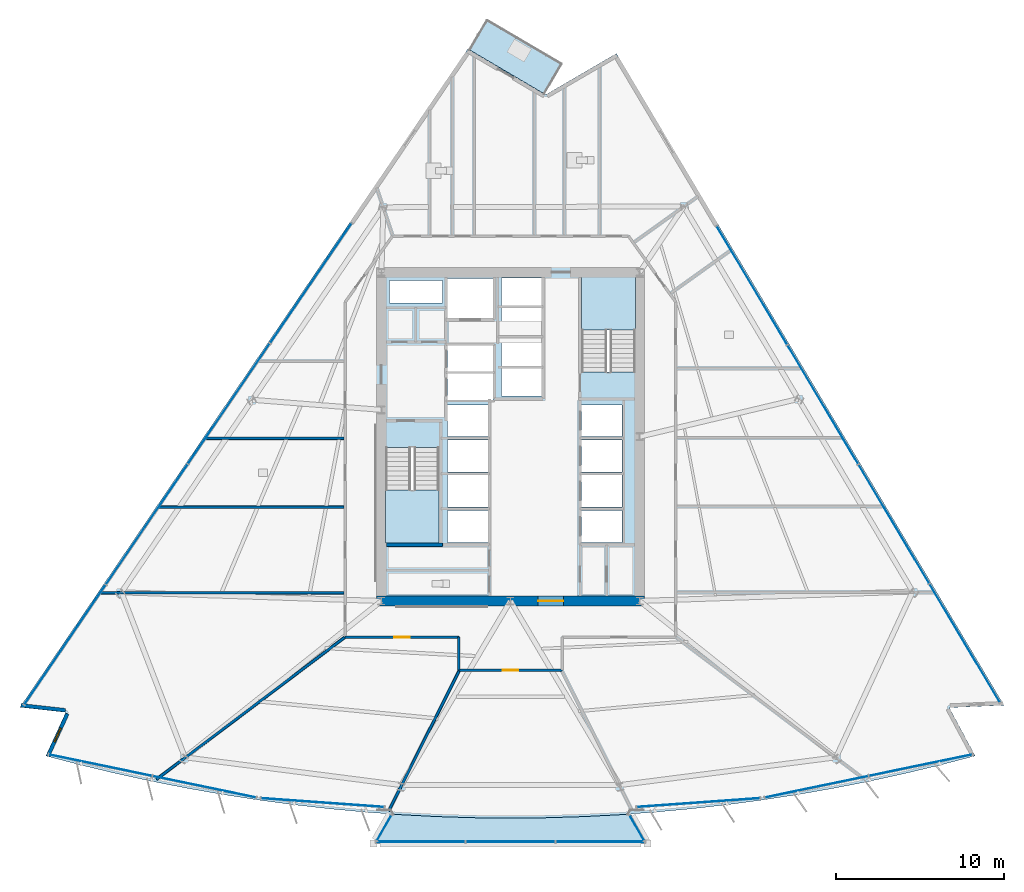
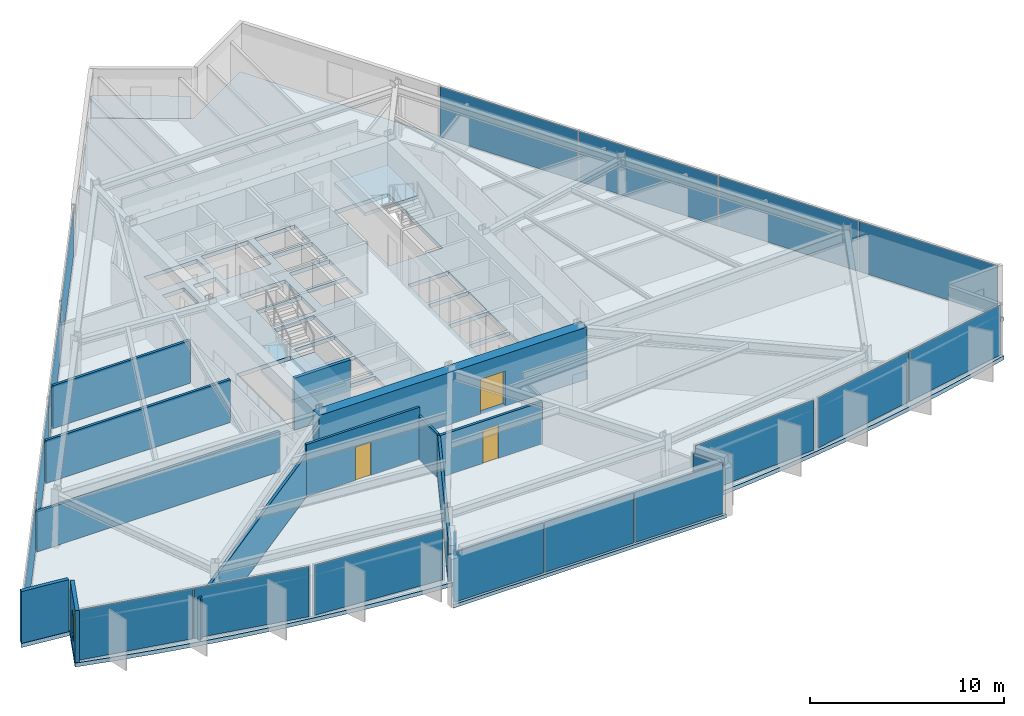
# One storey, part 8 of 16: 19 plates, 12 walls, 5 slabs, 3 doors, 1 window, 4 openings, 11 elements without a shape of their own.
"""IFC4 building model written with IfcOpenShell, lengths in metres."""

from ifc_helpers import new_model, si_unit, direction, frame, frame_2d, origin, origin_2d, place, context, subcontext, project, spatial, polyline, rectangle, outline, extrude, material, layer, layer_set, type_object, element, fill, aggregate, save


model = new_model("IFC4")

# Units and contexts
model_context = context("Model", 3, precision=1e-05, world=origin(), true_north=direction((0.0, 1.0)))
body_context = subcontext(model_context, "Body", "Model", "MODEL_VIEW")
ifc_project = project(units=[si_unit("LENGTHUNIT", "METRE"), si_unit("AREAUNIT", "SQUARE_METRE"), si_unit("VOLUMEUNIT", "CUBIC_METRE"), si_unit("PLANEANGLEUNIT", "RADIAN"), si_unit("MASSUNIT", "GRAM", prefix="KILO")], contexts=[model_context])

# Site, building, storey
site_placement = place(None, origin())
site = spatial("IfcSite", under=ifc_project, at=site_placement, CompositionType="ELEMENT")
building_placement = place(site_placement, origin())
building = spatial("IfcBuilding", under=site, at=building_placement, Name="Savorim Split Tower", CompositionType="ELEMENT")
storey_placement = place(building_placement, frame((0.0, 0.0, 69.60009765625)))
storey = spatial("IfcBuildingStorey", under=building, at=storey_placement, Name="L18", CompositionType="ELEMENT", Elevation=69.60009765625)

# Curtain wall, plates
ifc_material_1 = material(Name="Dark Ceramic-Fritted Insulated Glass", Category="glass")
curtain_wall_type_1 = type_object("IfcCurtainWallType", Name="CW-TWR-FRIT-A", PredefinedType="NOTDEFINED", material=ifc_material_1)
curtain_wall_1_placement = place(storey_placement, origin())
curtain_wall_1 = element("IfcCurtainWall", 1, at=curtain_wall_1_placement, inside=storey, type_object=curtain_wall_type_1, Name="L18 Curtain Wall CW-L18-SF1A", PredefinedType="NOTDEFINED")
ifc_layer_1 = layer(ifc_material_1, 0.028076171875)
ifc_layer_set_1 = layer_set([ifc_layer_1], Name="CWP-FRITA-28")
plate_type_1 = type_object("IfcPlateType", Name="CWP-FRITA-28", PredefinedType="CURTAIN_PANEL", material=ifc_layer_set_1)
plate_1_placement = place(storey_placement, frame((-24.46240234375, -19.19482421875, 0.054931640625), z_axis=(0.0, 0.0, 1.0), x_axis=(0.979133896415, -0.203216172809, 0.0)))
plate_1 = element("IfcPlate", 2, at=plate_1_placement, type_object=plate_type_1, Name="CW-02 panel 1.1", PredefinedType="CURTAIN_PANEL", context=body_context, shape_type="SweptSolid", body=[
    extrude(rectangle(XDim=6.27099609375, YDim=0.028076171875, at=origin_2d()), origin(), (0.0, 0.0, 1.0), 3.169921875),
])
plate_2_placement = place(storey_placement, frame((-18.258544921875, -20.482421875, 0.054931640625), z_axis=(0.0, 0.0, 1.0), x_axis=(0.979133896415, -0.203216172809, 0.0)))
plate_2 = element("IfcPlate", 3, at=plate_2_placement, type_object=plate_type_1, Name="CW-02 panel 2.1", PredefinedType="CURTAIN_PANEL", context=body_context, shape_type="SweptSolid", body=[
    extrude(rectangle(XDim=6.27099609375, YDim=0.028076171875, at=origin_2d()), origin(), (0.0, 0.0, 1.0), 3.169921875),
])
aggregate(curtain_wall_1, [plate_1, plate_2])

# Curtain wall, plate
curtain_wall_2_placement = place(storey_placement, origin())
curtain_wall_2 = element("IfcCurtainWall", 4, at=curtain_wall_2_placement, inside=storey, type_object=curtain_wall_type_1, Name="L18 Curtain Wall CW-L18-SF2A", PredefinedType="NOTDEFINED")
plate_3_placement = place(storey_placement, frame((-11.212890625, -21.425537109375, 0.054931640625), z_axis=(0.0, 0.0, 1.0), x_axis=(0.997437275453, -0.071546359352, 0.0)))
plate_3 = element("IfcPlate", 5, at=plate_3_placement, type_object=plate_type_1, Name="CW-02 panel 1.1", PredefinedType="CURTAIN_PANEL", context=body_context, shape_type="SweptSolid", body=[
    extrude(rectangle(XDim=7.34912109375, YDim=0.028076171875, at=origin_2d()), origin(), (0.0, 0.0, 1.0), 3.169921875),
])
aggregate(curtain_wall_2, [plate_3])

curtain_wall_3_placement = place(storey_placement, origin())
curtain_wall_3 = element("IfcCurtainWall", 6, at=curtain_wall_3_placement, inside=storey, type_object=curtain_wall_type_1, Name="L18 Curtain Wall CW-L18-SF3A", PredefinedType="NOTDEFINED")
plate_4_placement = place(storey_placement, frame((11.212890625, -21.425537109375, 0.054931640625), z_axis=(0.0, 0.0, 1.0), x_axis=(0.997437275453, 0.071546359352, 0.0)))
plate_4 = element("IfcPlate", 7, at=plate_4_placement, type_object=plate_type_1, Name="CW-02 panel 1.1", PredefinedType="CURTAIN_PANEL", context=body_context, shape_type="SweptSolid", body=[
    extrude(rectangle(XDim=7.34912109375, YDim=0.028076171875, at=origin_2d()), origin(), (0.0, 0.0, 1.0), 3.169921875),
])
aggregate(curtain_wall_3, [plate_4])

# Curtain wall, plates
curtain_wall_4_placement = place(storey_placement, origin())
curtain_wall_4 = element("IfcCurtainWall", 8, at=curtain_wall_4_placement, inside=storey, type_object=curtain_wall_type_1, Name="L18 Curtain Wall CW-L18-SF4A", PredefinedType="NOTDEFINED")
plate_5_placement = place(storey_placement, frame((18.258544921875, -20.482421875, 0.054931640625), z_axis=(0.0, 0.0, 1.0), x_axis=(0.979133896415, 0.203216172809, 0.0)))
plate_5 = element("IfcPlate", 9, at=plate_5_placement, type_object=plate_type_1, Name="CW-02 panel 1.1", PredefinedType="CURTAIN_PANEL", context=body_context, shape_type="SweptSolid", body=[
    extrude(rectangle(XDim=6.27099609375, YDim=0.028076171875, at=origin_2d()), origin(), (0.0, 0.0, 1.0), 3.169921875),
])
plate_6_placement = place(storey_placement, frame((24.46240234375, -19.19482421875, 0.054931640625), z_axis=(0.0, 0.0, 1.0), x_axis=(0.979133896415, 0.203216172809, 0.0)))
plate_6 = element("IfcPlate", 10, at=plate_6_placement, type_object=plate_type_1, Name="CW-02 panel 2.1", PredefinedType="CURTAIN_PANEL", context=body_context, shape_type="SweptSolid", body=[
    extrude(rectangle(XDim=6.27099609375, YDim=0.028076171875, at=origin_2d()), origin(), (0.0, 0.0, 1.0), 3.169921875),
])
aggregate(curtain_wall_4, [plate_5, plate_6])

curtain_wall_5_placement = place(storey_placement, origin())
curtain_wall_5 = element("IfcCurtainWall", 11, at=curtain_wall_5_placement, inside=storey, type_object=curtain_wall_type_1, Name="L18 Curtain Wall CW-L18-EAST", PredefinedType="NOTDEFINED")
plate_7_placement = place(storey_placement, frame((27.0947265625, -11.918701171875, 0.054931640625), z_axis=(0.0, 0.0, 1.0), x_axis=(-0.511092320583, 0.859525822673, 0.0)))
plate_7 = element("IfcPlate", 12, at=plate_7_placement, type_object=plate_type_1, Name="CW-02 panel 1.1", PredefinedType="CURTAIN_PANEL", context=body_context, shape_type="SweptSolid", body=[
    extrude(rectangle(XDim=8.18896484375, YDim=0.028076171875, at=origin_2d()), origin(), (0.0, 0.0, 1.0), 3.169921875),
])
plate_8_placement = place(storey_placement, frame((22.867919921875, -4.81005859375, 0.054931640625), z_axis=(0.0, 0.0, 1.0), x_axis=(-0.511092320583, 0.859525822673, 0.0)))
plate_8 = element("IfcPlate", 13, at=plate_8_placement, type_object=plate_type_1, Name="CW-02 panel 2.1", PredefinedType="CURTAIN_PANEL", context=body_context, shape_type="SweptSolid", body=[
    extrude(rectangle(XDim=8.221435546875, YDim=0.028076171875, at=origin_2d()), origin(), (0.0, 0.0, 1.0), 3.169921875),
])
plate_9_placement = place(storey_placement, frame((18.632568359375, 2.3125, 0.054931640625), z_axis=(0.0, 0.0, 1.0), x_axis=(-0.511092320583, 0.859525822673, 0.0)))
plate_9 = element("IfcPlate", 14, at=plate_9_placement, type_object=plate_type_1, Name="CW-02 panel 3.1", PredefinedType="CURTAIN_PANEL", context=body_context, shape_type="SweptSolid", body=[
    extrude(rectangle(XDim=8.221435546875, YDim=0.028076171875, at=origin_2d()), origin(), (0.0, 0.0, 1.0), 3.169921875),
])
plate_10_placement = place(storey_placement, frame((14.40576171875, 9.4208984375, 0.054931640625), z_axis=(0.0, 0.0, 1.0), x_axis=(-0.511092320583, 0.859525822673, 0.0)))
plate_10 = element("IfcPlate", 15, at=plate_10_placement, type_object=plate_type_1, Name="CW-02 panel 4.1", PredefinedType="CURTAIN_PANEL", context=body_context, shape_type="SweptSolid", body=[
    extrude(rectangle(XDim=8.18896484375, YDim=0.028076171875, at=origin_2d()), origin(), (0.0, 0.0, 1.0), 3.169921875),
])
aggregate(curtain_wall_5, [plate_7, plate_8, plate_9, plate_10])

curtain_wall_6_placement = place(storey_placement, origin())
curtain_wall_6 = element("IfcCurtainWall", 16, at=curtain_wall_6_placement, inside=storey, type_object=curtain_wall_type_1, Name="L18 Curtain Wall CW-L18-WEST", PredefinedType="NOTDEFINED")
plate_11_placement = place(storey_placement, frame((-11.907470703125, 9.5517578125, 0.054931640625), z_axis=(0.0, 0.0, 1.0), x_axis=(-0.562466356423, -0.826820172644, 0.0)))
plate_11 = element("IfcPlate", 17, at=plate_11_placement, type_object=plate_type_1, Name="CW-02 panel 1.1", PredefinedType="CURTAIN_PANEL", context=body_context, shape_type="SweptSolid", body=[
    extrude(rectangle(XDim=8.606201171875, YDim=0.028076171875, at=origin_2d()), origin(), (0.0, 0.0, 1.0), 3.169921875),
])
plate_12_placement = place(storey_placement, frame((-16.7939453125, 2.368896484375, 0.054931640625), z_axis=(0.0, 0.0, 1.0), x_axis=(-0.562466356423, -0.826820172644, 0.0)))
plate_12 = element("IfcPlate", 18, at=plate_12_placement, type_object=plate_type_1, Name="CW-02 panel 2.1", PredefinedType="CURTAIN_PANEL", context=body_context, shape_type="SweptSolid", body=[
    extrude(rectangle(XDim=8.638671875, YDim=0.028076171875, at=origin_2d()), origin(), (0.0, 0.0, 1.0), 3.169921875),
])
plate_13_placement = place(storey_placement, frame((-21.689453125, -4.82763671875, 0.054931640625), z_axis=(0.0, 0.0, 1.0), x_axis=(-0.562466356423, -0.826820172644, 0.0)))
plate_13 = element("IfcPlate", 19, at=plate_13_placement, type_object=plate_type_1, Name="CW-02 panel 3.1", PredefinedType="CURTAIN_PANEL", context=body_context, shape_type="SweptSolid", body=[
    extrude(rectangle(XDim=8.638671875, YDim=0.028076171875, at=origin_2d()), origin(), (0.0, 0.0, 1.0), 3.169921875),
])
plate_14_placement = place(storey_placement, frame((-26.57568359375, -12.010498046875, 0.054931640625), z_axis=(0.0, 0.0, 1.0), x_axis=(-0.562466356423, -0.826820172644, 0.0)))
plate_14 = element("IfcPlate", 20, at=plate_14_placement, type_object=plate_type_1, Name="CW-02 panel 4.1", PredefinedType="CURTAIN_PANEL", context=body_context, shape_type="SweptSolid", body=[
    extrude(rectangle(XDim=8.606201171875, YDim=0.028076171875, at=origin_2d()), origin(), (0.0, 0.0, 1.0), 3.169921875),
])
aggregate(curtain_wall_6, [plate_11, plate_12, plate_13, plate_14])

curtain_wall_type_2 = type_object("IfcCurtainWallType", Name="CW-BAY-LOUNGE", PredefinedType="NOTDEFINED", material=ifc_material_1)
curtain_wall_7_placement = place(storey_placement, origin())
curtain_wall_7 = element("IfcCurtainWall", 21, at=curtain_wall_7_placement, inside=storey, type_object=curtain_wall_type_2, Name="L18 Curtain Wall CW-L18-BAYF", PredefinedType="NOTDEFINED")
ifc_material_2 = material(Name="Low-E Operable Double Glazing", Category="glass")
ifc_layer_2 = layer(ifc_material_2, 0.031982421875)
ifc_layer_set_2 = layer_set([ifc_layer_2], Name="CWP-POD-32")
plate_type_2 = type_object("IfcPlateType", Name="CWP-POD-32", PredefinedType="CURTAIN_PANEL", material=ifc_layer_set_2)
plate_15_placement = place(storey_placement, frame((-5.35546875, -23.759765625, 0.054931640625), z_axis=(0.0, 0.0, 1.0), x_axis=(1.0, 0.0, 0.0)))
plate_15 = element("IfcPlate", 22, at=plate_15_placement, type_object=plate_type_2, Name="CW-04 panel 1.1", PredefinedType="CURTAIN_PANEL", context=body_context, shape_type="SweptSolid", body=[
    extrude(rectangle(XDim=5.274169921875, YDim=0.031982421875, at=origin_2d()), origin(), (0.0, 0.0, 1.0), 3.169921875),
])
plate_16_placement = place(storey_placement, frame((0.0, -23.759765625, 0.054931640625), z_axis=(0.0, 0.0, 1.0), x_axis=(1.0, 0.0, 0.0)))
plate_16 = element("IfcPlate", 23, at=plate_16_placement, type_object=plate_type_2, Name="CW-04 panel 2.1", PredefinedType="CURTAIN_PANEL", context=body_context, shape_type="SweptSolid", body=[
    extrude(rectangle(XDim=5.306640625, YDim=0.031982421875, at=origin_2d()), origin(), (0.0, 0.0, 1.0), 3.169921875),
])
plate_17_placement = place(storey_placement, frame((5.35546875, -23.759765625, 0.054931640625), z_axis=(0.0, 0.0, 1.0), x_axis=(1.0, 0.0, 0.0)))
plate_17 = element("IfcPlate", 24, at=plate_17_placement, type_object=plate_type_2, Name="CW-04 panel 3.1", PredefinedType="CURTAIN_PANEL", context=body_context, shape_type="SweptSolid", body=[
    extrude(rectangle(XDim=5.274169921875, YDim=0.031982421875, at=origin_2d()), origin(), (0.0, 0.0, 1.0), 3.169921875),
])
aggregate(curtain_wall_7, [plate_15, plate_16, plate_17])

# Curtain wall, plate
curtain_wall_8_placement = place(storey_placement, origin())
curtain_wall_8 = element("IfcCurtainWall", 25, at=curtain_wall_8_placement, inside=storey, type_object=curtain_wall_type_2, Name="L18 Curtain Wall CW-L18-BAYW", PredefinedType="NOTDEFINED")
plate_18_placement = place(storey_placement, frame((-7.537841796875, -22.931884765625, 0.054931640625), z_axis=(0.0, 0.0, 1.0), x_axis=(-0.492254769442, -0.870451171498, 0.0)))
plate_18 = element("IfcPlate", 26, at=plate_18_placement, type_object=plate_type_2, Name="CW-04 panel 1.1", PredefinedType="CURTAIN_PANEL", context=body_context, shape_type="SweptSolid", body=[
    extrude(rectangle(XDim=1.705078125, YDim=0.031982421875, at=origin_2d()), origin(), (0.0, 0.0, 1.0), 3.169921875),
])
aggregate(curtain_wall_8, [plate_18])

curtain_wall_9_placement = place(storey_placement, origin())
curtain_wall_9 = element("IfcCurtainWall", 27, at=curtain_wall_9_placement, inside=storey, type_object=curtain_wall_type_2, Name="L18 Curtain Wall CW-L18-BAYE", PredefinedType="NOTDEFINED")
plate_19_placement = place(storey_placement, frame((7.537841796875, -22.931884765625, 0.054931640625), z_axis=(0.0, 0.0, 1.0), x_axis=(-0.492254769442, 0.870451171498, 0.0)))
plate_19 = element("IfcPlate", 28, at=plate_19_placement, type_object=plate_type_2, Name="CW-04 panel 1.1", PredefinedType="CURTAIN_PANEL", context=body_context, shape_type="SweptSolid", body=[
    extrude(rectangle(XDim=1.705078125, YDim=0.031982421875, at=origin_2d()), origin(), (0.0, 0.0, 1.0), 3.169921875),
])
aggregate(curtain_wall_9, [plate_19])

# Slabs
ifc_material_3 = material(Name="Concrete C50/60", Category="concrete")
ifc_layer_3 = layer(ifc_material_3, 0.219970703125)
ifc_layer_set_3 = layer_set([ifc_layer_3], Name="SLB-BAL-220")
slab_type_1 = type_object("IfcSlabType", Name="SLB-BAL-220", PredefinedType="FLOOR", material=ifc_layer_set_3)
slab_1_placement = place(storey_placement, frame((0.0, 0.0, -0.22021484375)))
element("IfcSlab", 29, at=slab_1_placement, inside=storey, type_object=slab_type_1, Name="L18 Cantilevered Shared Kitchen Lounge Slab", PredefinedType="FLOOR", context=body_context, shape_type="SweptSolid", body=[
    extrude(outline(polyline([(7.1826171875, -22.1005859375), (6.468505859375, -22.15185546875), (4.31396484375, -22.26220703125), (2.157470703125, -22.328369140625), (0.0, -22.350341796875), (-2.157470703125, -22.328369140625), (-4.31396484375, -22.26220703125), (-6.468505859375, -22.15185546875), (-7.1826171875, -22.1005859375), (-8.177490234375, -23.85986328125), (8.177490234375, -23.85986328125), (7.1826171875, -22.1005859375)])), origin(), (0.0, 0.0, 1.0), 0.22021484375),
])
slab_2_placement = place(storey_placement, frame((0.0, 0.0, -0.22021484375)))
element("IfcSlab", 30, at=slab_2_placement, inside=storey, type_object=slab_type_1, Name="L18 Notched Corner Planted Tree Balcony Slab", PredefinedType="FLOOR", context=body_context, shape_type="SweptSolid", body=[
    extrude(outline(polyline([(-2.43994140625, 23.47021484375), (1.997314453125, 20.862060546875), (3.03369140625, 22.625244140625), (-1.40380859375, 25.233154296875), (-2.43994140625, 23.47021484375)])), origin(), (0.0, 0.0, 1.0), 0.22021484375),
])

# Stair, slab
stair_type = type_object("IfcStairType", Name="STR-DOG-3600", PredefinedType="HALF_TURN_STAIR", material=ifc_material_3)
stair_1_placement = place(storey_placement, origin())
stair_1 = element("IfcStair", 31, at=stair_1_placement, inside=storey, type_object=stair_type, Name="L18 Core Protected Exit Stair ST-1", PredefinedType="HALF_TURN_STAIR")
ifc_layer_4 = layer(ifc_material_3, 0.199951171875)
ifc_layer_set_4 = layer_set([ifc_layer_4], Name="SLB-LND-200")
slab_type_2 = type_object("IfcSlabType", Name="SLB-LND-200", PredefinedType="LANDING", material=ifc_layer_set_4)
slab_3_placement = place(storey_placement, frame((0.0, 0.0, 1.599853515625)))
slab_3 = element("IfcSlab", 32, at=slab_3_placement, type_object=slab_type_2, Name="ST-1 landing 1", PredefinedType="LANDING", context=body_context, shape_type="SweptSolid", body=[
    extrude(outline(polyline([(-7.449951171875, -2.77001953125), (-7.449951171875, -5.949951171875), (-4.25, -5.949951171875), (-4.25, -2.77001953125), (-7.449951171875, -2.77001953125)])), origin(), (0.0, 0.0, 1.0), 0.199951171875),
])
aggregate(stair_1, [slab_3])

stair_2_placement = place(storey_placement, origin())
stair_2 = element("IfcStair", 33, at=stair_2_placement, inside=storey, type_object=stair_type, Name="L18 Core Protected Exit Stair ST-2", PredefinedType="HALF_TURN_STAIR")
slab_4_placement = place(storey_placement, frame((0.0, 0.0, 1.599853515625)))
slab_4 = element("IfcSlab", 34, at=slab_4_placement, type_object=slab_type_2, Name="ST-2 landing 1", PredefinedType="LANDING", context=body_context, shape_type="SweptSolid", body=[
    extrude(outline(polyline([(7.449951171875, 6.77001953125), (7.449951171875, 9.949951171875), (4.25, 9.949951171875), (4.25, 6.77001953125), (7.449951171875, 6.77001953125)])), origin(), (0.0, 0.0, 1.0), 0.199951171875),
])
aggregate(stair_2, [slab_4])

# Slab
ifc_layer_5 = layer(ifc_material_3, 0.25)
ifc_layer_set_5 = layer_set([ifc_layer_5], Name="SLB-TWR-250")
slab_type_3 = type_object("IfcSlabType", Name="SLB-TWR-250", PredefinedType="FLOOR", material=ifc_layer_set_5)
slab_5_placement = place(storey_placement, frame((0.0, 0.0, -0.25)))
element("IfcSlab", 35, at=slab_5_placement, inside=storey, type_object=slab_type_3, Name="L18 Structural Floor Slab", PredefinedType="FLOOR", context=body_context, shape_type="SweptSolid", body=[
    extrude(outline(polyline([(-27.718505859375, -18.6416015625), (-25.631103515625, -19.1875), (-23.533203125, -19.6904296875), (-21.42529296875, -20.150390625), (-19.308349609375, -20.5673828125), (-17.183349609375, -20.940673828125), (-15.05126953125, -21.2705078125), (-12.912841796875, -21.556640625), (-10.768798828125, -21.799072265625), (-8.62060546875, -21.997314453125), (-6.468505859375, -22.15185546875), (-4.31396484375, -22.26220703125), (-2.157470703125, -22.328369140625), (0.0, -22.350341796875), (2.157470703125, -22.328369140625), (4.31396484375, -22.26220703125), (6.468505859375, -22.15185546875), (8.62060546875, -21.997314453125), (10.768798828125, -21.799072265625), (12.912841796875, -21.556640625), (15.05126953125, -21.2705078125), (17.183349609375, -20.940673828125), (19.308349609375, -20.5673828125), (21.42529296875, -20.150390625), (23.533203125, -19.6904296875), (25.631103515625, -19.1875), (27.718505859375, -18.6416015625), (26.17236328125, -15.760498046875), (29.436279296875, -15.62158203125), (6.318603515625, 23.256591796875), (2.098388671875, 20.797119140625), (-2.5458984375, 23.526611328125), (-29.255615234375, -15.736572265625), (-26.523681640625, -16.04150390625), (-27.718505859375, -18.6416015625)]), holes=[polyline([(-7.449951171875, -0.25390625), (-7.449951171875, -5.949951171875), (-4.25, -5.949951171875), (-4.25, -0.25390625), (-7.449951171875, -0.25390625)]), polyline([(7.449951171875, 4.25390625), (7.449951171875, 9.949951171875), (4.25, 9.949951171875), (4.25, 4.25390625), (7.449951171875, 4.25390625)]), polyline([(4.25, -5.89990234375), (6.64990234375, -5.89990234375), (6.64990234375, -4.0), (4.25, -4.0), (4.25, -5.89990234375)]), polyline([(4.25, -3.800048828125), (6.64990234375, -3.800048828125), (6.64990234375, -1.89990234375), (4.25, -1.89990234375), (4.25, -3.800048828125)]), polyline([(4.25, -1.699951171875), (6.64990234375, -1.699951171875), (6.64990234375, 0.199951171875), (4.25, 0.199951171875), (4.25, -1.699951171875)]), polyline([(4.25, 0.39990234375), (6.64990234375, 0.39990234375), (6.64990234375, 2.300048828125), (4.25, 2.300048828125), (4.25, 0.39990234375)]), polyline([(-3.75, -5.89990234375), (-1.35009765625, -5.89990234375), (-1.35009765625, -4.0), (-3.75, -4.0), (-3.75, -5.89990234375)]), polyline([(-3.75, -3.800048828125), (-1.35009765625, -3.800048828125), (-1.35009765625, -1.89990234375), (-3.75, -1.89990234375), (-3.75, -3.800048828125)]), polyline([(-3.75, -1.699951171875), (-1.35009765625, -1.699951171875), (-1.35009765625, 0.199951171875), (-3.75, 0.199951171875), (-3.75, -1.699951171875)]), polyline([(-3.75, 0.39990234375), (-1.35009765625, 0.39990234375), (-1.35009765625, 2.300048828125), (-3.75, 2.300048828125), (-3.75, 0.39990234375)]), polyline([(-0.550048828125, 2.830078125), (1.85009765625, 2.830078125), (1.85009765625, 4.469970703125), (-0.550048828125, 4.469970703125), (-0.550048828125, 2.830078125)]), polyline([(-0.550048828125, 4.6298828125), (1.85009765625, 4.6298828125), (1.85009765625, 6.27001953125), (-0.550048828125, 6.27001953125), (-0.550048828125, 4.6298828125)]), polyline([(-0.550048828125, 6.429931640625), (1.85009765625, 6.429931640625), (1.85009765625, 8.070068359375), (-0.550048828125, 8.070068359375), (-0.550048828125, 6.429931640625)]), polyline([(-0.550048828125, 8.22998046875), (1.85009765625, 8.22998046875), (1.85009765625, 9.8701171875), (-0.550048828125, 9.8701171875), (-0.550048828125, 8.22998046875)]), polyline([(-3.75, 2.60009765625), (-1.050048828125, 2.60009765625), (-1.050048828125, 4.159912109375), (-3.75, 4.159912109375), (-3.75, 2.60009765625)]), polyline([(-3.75, 4.280029296875), (-1.050048828125, 4.280029296875), (-1.050048828125, 5.840087890625), (-3.75, 5.840087890625), (-3.75, 4.280029296875)]), polyline([(-3.75, 7.449951171875), (-0.949951171875, 7.449951171875), (-0.949951171875, 9.85009765625), (-3.75, 9.85009765625), (-3.75, 7.449951171875)]), polyline([(-7.219970703125, 6.320068359375), (-5.919921875, 6.320068359375), (-5.919921875, 7.820068359375), (-7.219970703125, 7.820068359375), (-7.219970703125, 6.320068359375)]), polyline([(-5.3798828125, 6.320068359375), (-4.050048828125, 6.320068359375), (-4.050048828125, 7.820068359375), (-5.3798828125, 7.820068359375), (-5.3798828125, 6.320068359375)]), polyline([(-7.219970703125, 8.360107421875), (-4.050048828125, 8.360107421875), (-4.050048828125, 9.719970703125), (-7.219970703125, 9.719970703125), (-7.219970703125, 8.360107421875)])]), origin(), (0.0, 0.0, 1.0), 0.25),
])

# Wall, opening, door
ifc_material_4 = material(Name="Concrete C60/75", Category="concrete")
ifc_layer_6 = layer(ifc_material_4, 0.60009765625)
ifc_layer_set_6 = layer_set([ifc_layer_6], Name="WAL-COR-SH600")
wall_type_1 = type_object("IfcWallType", Name="WAL-COR-SH600", PredefinedType="SHEAR", material=ifc_layer_set_6)
wall_1_placement = place(storey_placement, frame((-8.0, -9.39990234375, 0.0), z_axis=(0.0, 0.0, 1.0), x_axis=(1.0, 0.0, 0.0)))
wall_1 = element("IfcWall", 36, at=wall_1_placement, inside=storey, type_object=wall_type_1, Name="L18 Offset Core South Shear Wall", PredefinedType="SHEAR", context=body_context, shape_type="SweptSolid", body=[
    extrude(rectangle(XDim=16.0, YDim=0.60009765625, at=frame_2d((8.0, 0.0))), origin(), (0.0, 0.0, 1.0), 3.27978515625),
])
opening_1_placement = place(wall_1_placement, frame((9.64990234375, 0.0, 0.0)))
opening_1 = element("IfcOpeningElement", 37, at=opening_1_placement, cuts=wall_1, Name="Opening DI-02", PredefinedType="OPENING", context=body_context, shape_type="SweptSolid", body=[
    extrude(rectangle(XDim=1.5, YDim=2.199951171875, at=frame_2d((0.75, 1.10009765625))), frame((0.0, 0.31005859375, 0.0), z_axis=(0.0, -1.0, 0.0), x_axis=(1.0, 0.0, 0.0)), (0.0, 0.0, 1.0), 0.6201171875),
])
ifc_material_5 = material(Name="Timber Fire Door Leaf", Category="wood")
door_type_1 = type_object("IfcDoorType", Name="DOR-DBL-1500", OperationType="NOTDEFINED", PredefinedType="DOOR", material=ifc_material_5)
door_1_placement = place(opening_1_placement, origin())
door_1 = element("IfcDoor", 38, at=door_1_placement, inside=storey, type_object=door_type_1, Name="DOR-L18-COR-LLOB - L18 Lift Lobby Main Rated Door", OperationType="DOUBLE_DOOR_SINGLE_SWING", OverallHeight=2.199951171875, OverallWidth=1.5, PredefinedType="DOOR", context=body_context, shape_type="SweptSolid", body=[
    extrude(rectangle(XDim=1.5, YDim=2.199951171875, at=frame_2d((0.75, 1.10009765625))), frame((0.0, 0.02490234375, 0.0), z_axis=(0.0, -1.0, 0.0), x_axis=(1.0, 0.0, 0.0)), (0.0, 0.0, 1.0), 0.050048828125),
])
fill(opening_1, door_1)

# Wall
ifc_material_6 = material(Name="Precast concrete C40/50", Category="concrete")
ifc_layer_7 = layer(ifc_material_6, 0.219970703125)
ifc_layer_set_7 = layer_set([ifc_layer_7], Name="WAL-EXT-CRN220")
wall_type_2 = type_object("IfcWallType", Name="WAL-EXT-CRN220", PredefinedType="SOLIDWALL", material=ifc_layer_set_7)
wall_2_placement = place(storey_placement, frame((-26.55029296875, -15.917724609375, 0.0), z_axis=(0.0, 0.0, 1.0), x_axis=(-0.993824465748, 0.110963648468, 0.0)))
element("IfcWall", 39, at=wall_2_placement, inside=storey, type_object=wall_type_2, Name="L18 Notched Corner Facade Wall SW1", PredefinedType="SOLIDWALL", context=body_context, shape_type="SweptSolid", body=[
    extrude(rectangle(XDim=2.6689453125, YDim=0.219970703125, at=frame_2d((1.33447265625, 0.0))), origin(), (0.0, 0.0, 1.0), 3.27978515625),
])

# Wall, opening, window
wall_3_placement = place(storey_placement, frame((-27.5927734375, -18.655517578125, 0.0), z_axis=(0.0, 0.0, 1.0), x_axis=(0.417515840695, 0.908669644463, 0.0)))
wall_3 = element("IfcWall", 40, at=wall_3_placement, inside=storey, type_object=wall_type_2, Name="L18 Notched Corner Facade Wall SW", PredefinedType="SOLIDWALL", context=body_context, shape_type="SweptSolid", body=[
    extrude(rectangle(XDim=2.78173828125, YDim=0.219970703125, at=frame_2d((1.390869140625, 0.0))), origin(), (0.0, 0.0, 1.0), 3.27978515625),
])
opening_2_placement = place(wall_3_placement, frame((0.940673828125, 0.0, 0.6201171875)))
opening_2 = element("IfcOpeningElement", 41, at=opening_2_placement, cuts=wall_3, Name="Opening WN-10", PredefinedType="OPENING", context=body_context, shape_type="SweptSolid", body=[
    extrude(rectangle(XDim=0.89990234375, YDim=1.60009765625, at=frame_2d((0.449951171875, 0.800048828125))), frame((0.0, 0.119873046875, 0.0), z_axis=(0.0, -1.0, 0.0), x_axis=(1.0, 0.0, 0.0)), (0.0, 0.0, 1.0), 0.239990234375),
])
window_type = type_object("IfcWindowType", Name="WIN-TWR-900x1600", PartitioningType="SINGLE_PANEL", PredefinedType="WINDOW", material=ifc_material_2)
window_placement = place(opening_2_placement, origin())
window = element("IfcWindow", 42, at=window_placement, inside=storey, type_object=window_type, Name="L18 Operable Corner Window SW", OverallHeight=1.60009765625, OverallWidth=0.89990234375, PartitioningType="SINGLE_PANEL", PredefinedType="WINDOW", context=body_context, shape_type="SweptSolid", body=[
    extrude(rectangle(XDim=0.89990234375, YDim=1.60009765625, at=frame_2d((0.449951171875, 0.800048828125))), frame((0.0, 0.030029296875, 0.0), z_axis=(0.0, -1.0, 0.0), x_axis=(1.0, 0.0, 0.0)), (0.0, 0.0, 1.0), 0.06005859375),
])
fill(opening_2, window)

# Wall
ifc_layer_8 = layer(ifc_material_3, 0.199951171875)
ifc_layer_set_8 = layer_set([ifc_layer_8], Name="WAL-INT-RC200")
wall_type_3 = type_object("IfcWallType", Name="WAL-INT-RC200", PredefinedType="SOLIDWALL", material=ifc_layer_set_8)
wall_4_placement = place(storey_placement, frame((-7.39990234375, -6.050048828125, 0.0), z_axis=(0.0, 0.0, 1.0), x_axis=(1.0, 0.0, 0.0)))
element("IfcWall", 43, at=wall_4_placement, inside=storey, type_object=wall_type_3, Name="L18 Structural Shaft Wall W-L18-KSEP-W", PredefinedType="SOLIDWALL", context=body_context, shape_type="SweptSolid", body=[
    extrude(rectangle(XDim=3.349853515625, YDim=0.199951171875, at=frame_2d((1.6748046875, 0.0))), origin(), (0.0, 0.0, 1.0), 3.27978515625),
])

# Wall, opening, door
ifc_material_7 = material(Name="Acoustic Gypsum Partition Board")
ifc_layer_9 = layer(ifc_material_7, 0.14990234375)
ifc_layer_set_9 = layer_set([ifc_layer_9], Name="WAL-PAR-150")
wall_type_4 = type_object("IfcWallType", Name="WAL-PAR-150", PredefinedType="PARTITIONING", material=ifc_layer_set_9)
wall_5_placement = place(storey_placement, frame((3.080078125, -13.530029296875, 0.0), z_axis=(0.0, 0.0, 1.0), x_axis=(-1.0, 0.0, 0.0)))
wall_5 = element("IfcWall", 44, at=wall_5_placement, inside=storey, type_object=wall_type_4, Name="L18 Partition W-L18-COR-08", PredefinedType="PARTITIONING", context=body_context, shape_type="SweptSolid", body=[
    extrude(rectangle(XDim=6.16015625, YDim=0.14990234375, at=frame_2d((3.080078125, 0.0))), origin(), (0.0, 0.0, 1.0), 2.65478515625),
])
opening_3_placement = place(wall_5_placement, frame((2.6298828125, 0.0, 0.0)))
opening_3 = element("IfcOpeningElement", 45, at=opening_3_placement, cuts=wall_5, Name="Opening DI-06", PredefinedType="OPENING", context=body_context, shape_type="SweptSolid", body=[
    extrude(rectangle(XDim=0.89990234375, YDim=2.10009765625, at=frame_2d((0.449951171875, 1.050048828125))), frame((0.0, 0.0849609375, 0.0), z_axis=(0.0, -1.0, 0.0), x_axis=(1.0, 0.0, 0.0)), (0.0, 0.0, 1.0), 0.169921875),
])
door_type_2 = type_object("IfcDoorType", Name="DOR-FIR-900", OperationType="NOTDEFINED", PredefinedType="DOOR", material=ifc_material_5)
door_2_placement = place(opening_3_placement, origin())
door_2 = element("IfcDoor", 46, at=door_2_placement, inside=storey, type_object=door_type_2, Name="DR-L18-RM05 - L18 Maker Workshop Entry Door", OperationType="SINGLE_SWING_RIGHT", OverallHeight=2.10009765625, OverallWidth=0.89990234375, PredefinedType="DOOR", context=body_context, shape_type="SweptSolid", body=[
    extrude(rectangle(XDim=0.89990234375, YDim=2.10009765625, at=frame_2d((0.449951171875, 1.050048828125))), frame((0.0, 0.02490234375, 0.0), z_axis=(0.0, -1.0, 0.0), x_axis=(1.0, 0.0, 0.0)), (0.0, 0.0, 1.0), 0.050048828125),
])
fill(opening_3, door_2)

# Wall
wall_6_placement = place(storey_placement, frame((-3.080078125, -13.530029296875, 0.0), z_axis=(0.0, 0.0, 1.0), x_axis=(0.0, 1.0, 0.0)))
element("IfcWall", 47, at=wall_6_placement, inside=storey, type_object=wall_type_4, Name="L18 Partition W-L18-COR-09", PredefinedType="PARTITIONING", context=body_context, shape_type="SweptSolid", body=[
    extrude(rectangle(XDim=1.969970703125, YDim=0.14990234375, at=frame_2d((0.98486328125, 0.0))), origin(), (0.0, 0.0, 1.0), 2.7548828125),
])

# Wall, opening, door
wall_7_placement = place(storey_placement, frame((-3.080078125, -11.56005859375, 0.0), z_axis=(0.0, 0.0, 1.0), x_axis=(-1.0, 0.0, 0.0)))
wall_7 = element("IfcWall", 48, at=wall_7_placement, inside=storey, type_object=wall_type_4, Name="L18 Partition W-L18-COR-10", PredefinedType="PARTITIONING", context=body_context, shape_type="SweptSolid", body=[
    extrude(rectangle(XDim=6.780029296875, YDim=0.14990234375, at=frame_2d((3.39013671875, 0.0))), origin(), (0.0, 0.0, 1.0), 3.27978515625),
])
opening_4_placement = place(wall_7_placement, frame((2.93994140625, 0.0, 0.0)))
opening_4 = element("IfcOpeningElement", 49, at=opening_4_placement, cuts=wall_7, Name="Opening DI-06", PredefinedType="OPENING", context=body_context, shape_type="SweptSolid", body=[
    extrude(rectangle(XDim=0.89990234375, YDim=2.10009765625, at=frame_2d((0.449951171875, 1.050048828125))), frame((0.0, 0.0849609375, 0.0), z_axis=(0.0, -1.0, 0.0), x_axis=(1.0, 0.0, 0.0)), (0.0, 0.0, 1.0), 0.169921875),
])
door_3_placement = place(opening_4_placement, origin())
door_3 = element("IfcDoor", 50, at=door_3_placement, inside=storey, type_object=door_type_2, Name="DR-L18-RM04 - L18 Maker Workshop Entry Door", OperationType="SINGLE_SWING_LEFT", OverallHeight=2.10009765625, OverallWidth=0.89990234375, PredefinedType="DOOR", context=body_context, shape_type="SweptSolid", body=[
    extrude(rectangle(XDim=0.89990234375, YDim=2.10009765625, at=frame_2d((0.449951171875, 1.050048828125))), frame((0.0, 0.02490234375, 0.0), z_axis=(0.0, -1.0, 0.0), x_axis=(1.0, 0.0, 0.0)), (0.0, 0.0, 1.0), 0.050048828125),
])
fill(opening_4, door_3)

# Walls
wall_8_placement = place(storey_placement, frame((-9.887939453125, -11.568603515625, 0.0), z_axis=(0.0, 0.0, 1.0), x_axis=(-0.79842261679, -0.602097438127, 0.0)))
element("IfcWall", 51, at=wall_8_placement, inside=storey, type_object=wall_type_4, Name="L18 Partition W-L18-PRAD01", PredefinedType="PARTITIONING", context=body_context, shape_type="SweptSolid", body=[
    extrude(rectangle(XDim=14.06591796875, YDim=0.14990234375, at=frame_2d((7.032958984375, 0.0))), origin(), (0.0, 0.0, 1.0), 2.65478515625),
])
wall_9_placement = place(storey_placement, frame((-3.06591796875, -13.5732421875, 0.0), z_axis=(0.0, 0.0, 1.0), x_axis=(-0.449176702064, -0.893442941839, 0.0)))
element("IfcWall", 52, at=wall_9_placement, inside=storey, type_object=wall_type_4, Name="L18 Partition W-L18-PRAD02", PredefinedType="PARTITIONING", context=body_context, shape_type="SweptSolid", body=[
    extrude(rectangle(XDim=9.34716796875, YDim=0.14990234375, at=frame_2d((4.673583984375, 0.0))), origin(), (0.0, 0.0, 1.0), 2.65478515625),
])
wall_10_placement = place(storey_placement, frame((-9.919921875, -8.922119140625, 0.0), z_axis=(0.0, 0.0, 1.0), x_axis=(-1.0, 0.0, 0.0)))
element("IfcWall", 53, at=wall_10_placement, inside=storey, type_object=wall_type_4, Name="L18 Partition W-L18-PRAD10", PredefinedType="PARTITIONING", context=body_context, shape_type="SweptSolid", body=[
    extrude(rectangle(XDim=14.494384765625, YDim=0.14990234375, at=frame_2d((7.2470703125, 0.0))), origin(), (0.0, 0.0, 1.0), 2.538818359375),
])
wall_11_placement = place(storey_placement, frame((-9.919921875, 0.29833984375, 0.0), z_axis=(0.0, 0.0, 1.0), x_axis=(-1.0, 0.0, 0.0)))
element("IfcWall", 54, at=wall_11_placement, inside=storey, type_object=wall_type_4, Name="L18 Partition W-L18-SUB02", PredefinedType="PARTITIONING", context=body_context, shape_type="SweptSolid", body=[
    extrude(rectangle(XDim=8.221923828125, YDim=0.14990234375, at=frame_2d((4.11083984375, 0.0))), origin(), (0.0, 0.0, 1.0), 2.704833984375),
])
wall_12_placement = place(storey_placement, frame((-9.919921875, -3.7998046875, 0.0), z_axis=(0.0, 0.0, 1.0), x_axis=(-1.0, 0.0, 0.0)))
element("IfcWall", 55, at=wall_12_placement, inside=storey, type_object=wall_type_4, Name="L18 Partition W-L18-SUB06", PredefinedType="PARTITIONING", context=body_context, shape_type="SweptSolid", body=[
    extrude(rectangle(XDim=11.010009765625, YDim=0.14990234375, at=frame_2d((5.5048828125, 0.0))), origin(), (0.0, 0.0, 1.0), 2.704833984375),
])

save(model, "model.ifc")
